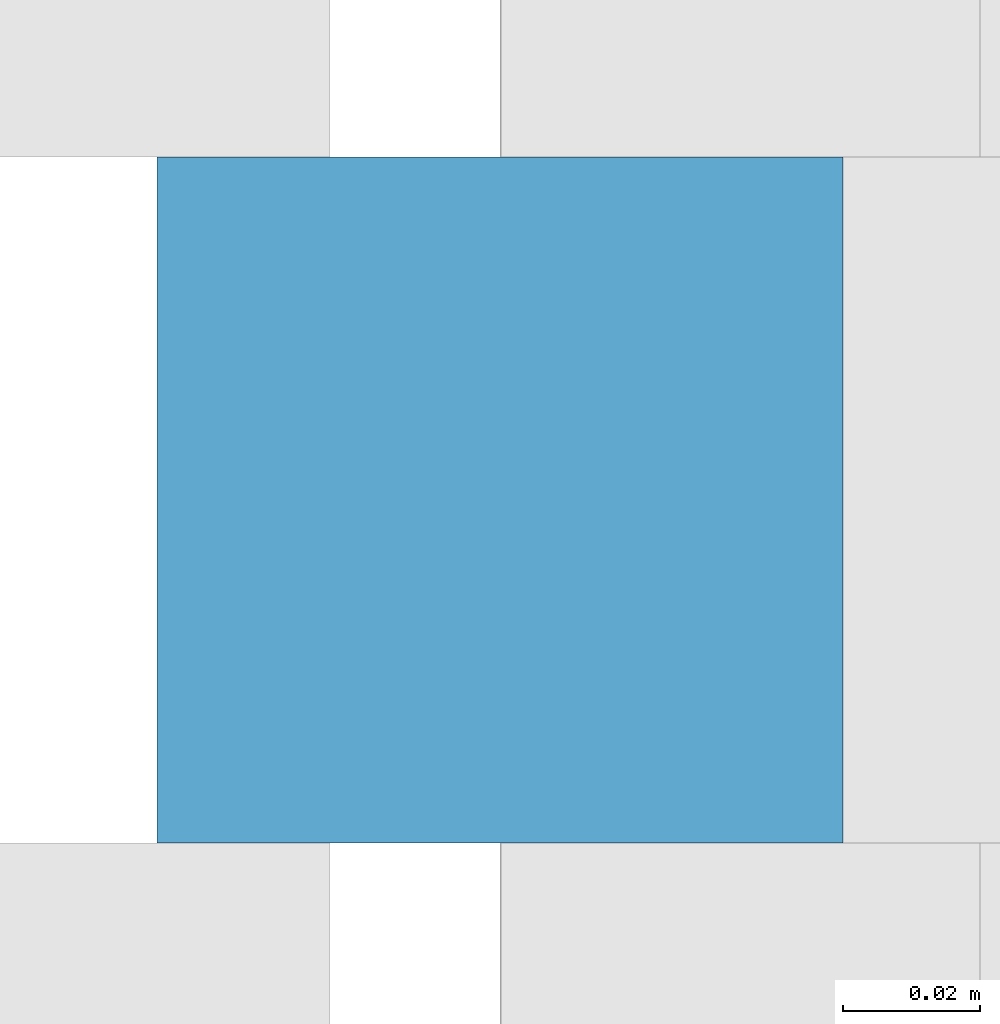
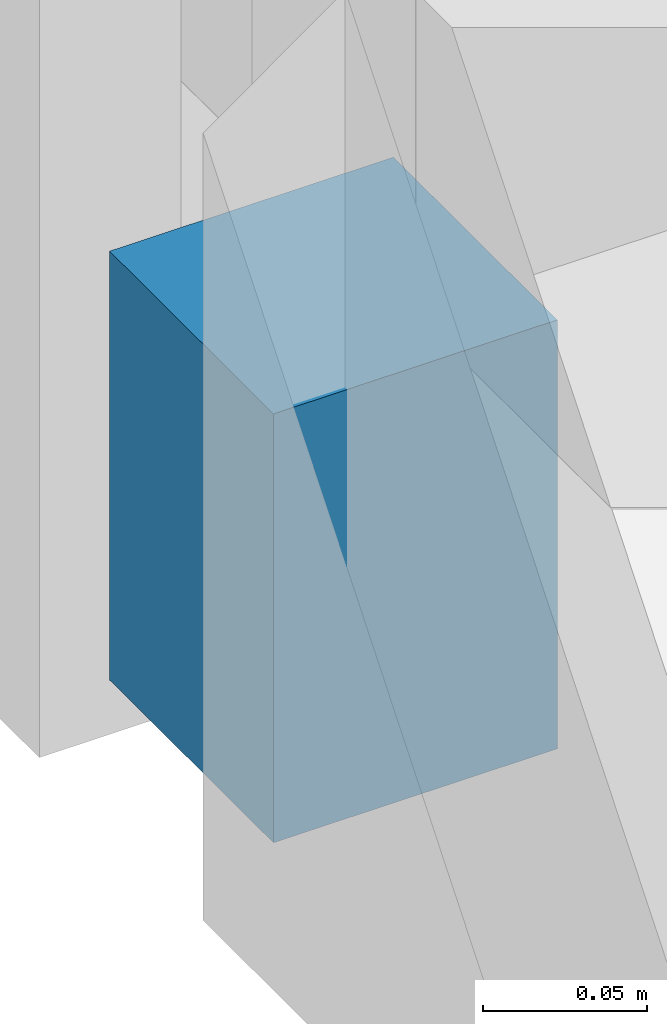
# One storey, part 21 of 33: 1 discrete accessory.
"""IFC4 building model written with IfcOpenShell, lengths in metres."""

import ifcopenshell
import ifcopenshell.guid

model = None  # the IFC model being written
_history = None  # IfcOwnerHistory: only IFC2X3 demands one
_inside = {}  # id of a spatial element -> (the spatial element, [elements in it])
_under = {}  # id of a project, library or spatial element -> (it, [spatial elements below it])
_declared = {}  # id of a project -> (the project, [libraries it declares])
_typed = {}  # id of a type object -> (the type object, [elements of that type])
_made_of = {}  # id of a material, layer set ... -> (it, [elements and type objects made of it])


def new_model(schema):
    """Start an empty IFC model of exactly this schema.

    Asked for "IFC4X3", IfcOpenShell would pick the latest addendum, in which some entities
    have other attributes; the version numbers below select the first issue.
    IFC2X3 requires an IfcOwnerHistory on every rooted entity: one is made here for all.
    """
    global model, _history
    if schema == "IFC4X3":
        model = ifcopenshell.file(schema_version=(4, 3, 0, 0))
    else:
        model = ifcopenshell.file(schema=schema)
    _inside.clear()
    _under.clear()
    _declared.clear()
    _typed.clear()
    _made_of.clear()
    _history = None
    if model.schema == "IFC2X3":
        org = make("IfcOrganization", Name="unknown")
        user = make(
            "IfcPersonAndOrganization",
            ThePerson=make("IfcPerson", FamilyName="unknown"),
            TheOrganization=org,
        )
        app = make(
            "IfcApplication",
            ApplicationDeveloper=org,
            Version="unknown",
            ApplicationFullName="unknown",
            ApplicationIdentifier="unknown",
        )
        _history = make(
            "IfcOwnerHistory",
            OwningUser=user,
            OwningApplication=app,
            ChangeAction="ADDED",
            CreationDate=0,
        )
    return model


def make(cls, **values):
    """One entity of the class cls with the attributes given. An attribute that is None is left unset."""
    return model.create_entity(
        cls, **{name: value for name, value in values.items() if value is not None}
    )


def rooted(cls, **values):
    """An entity with a GlobalId (a new one), such as an element, a storey or a relation."""
    return make(cls, GlobalId=ifcopenshell.guid.new(), OwnerHistory=_history, **values)


def si_unit(unit_type, name, prefix=None):
    """IfcSIUnit, for example si_unit("LENGTHUNIT", "METRE", prefix="MILLI")."""
    return make("IfcSIUnit", UnitType=unit_type, Prefix=prefix, Name=name)


def assignment(units):
    """IfcUnitAssignment: the units of a project."""
    return None if units is None else make("IfcUnitAssignment", Units=units)


def point(xyz):
    """IfcCartesianPoint."""
    return None if xyz is None else make("IfcCartesianPoint", Coordinates=xyz)


def direction(xyz):
    """IfcDirection."""
    return None if xyz is None else make("IfcDirection", DirectionRatios=xyz)


def frame(location, z_axis=None, x_axis=None):
    """IfcAxis2Placement3D, a coordinate frame: its origin and axes. An axis left out is left unset."""
    return make(
        "IfcAxis2Placement3D",
        Location=point(location),
        Axis=direction(z_axis),
        RefDirection=direction(x_axis),
    )


def frame_2d(location, x_axis=None):
    """IfcAxis2Placement2D, a coordinate frame in the plane: its origin and x axis."""
    return make(
        "IfcAxis2Placement2D", Location=point(location), RefDirection=direction(x_axis)
    )


def origin():
    """The frame at (0, 0, 0) with its axes left unset."""
    return frame((0.0, 0.0, 0.0))


def origin_2d():
    """The frame at (0, 0) in the plane with its x axis left unset."""
    return frame_2d((0.0, 0.0))


def place(relative_to, where):
    """IfcLocalPlacement: puts the frame where relative to a parent placement (None: the world)."""
    return make(
        "IfcLocalPlacement", PlacementRelTo=relative_to, RelativePlacement=where
    )


def context(
    kind, dimensions, precision=None, world=None, true_north=None, identifier=None
):
    """IfcGeometricRepresentationContext, for example the 3D "Model" context."""
    return make(
        "IfcGeometricRepresentationContext",
        ContextIdentifier=identifier,
        ContextType=kind,
        CoordinateSpaceDimension=dimensions,
        Precision=precision,
        WorldCoordinateSystem=world,
        TrueNorth=true_north,
    )


def subcontext(parent, identifier, kind, view, scale=None):
    """IfcGeometricRepresentationSubContext, for example "Body" below "Model"."""
    return make(
        "IfcGeometricRepresentationSubContext",
        ContextIdentifier=identifier,
        ContextType=kind,
        ParentContext=parent,
        TargetScale=scale,
        TargetView=view,
    )


def project(units=None, contexts=None):
    """IfcProject with its units and contexts."""
    return rooted(
        "IfcProject",
        Name="project",
        RepresentationContexts=contexts,
        UnitsInContext=assignment(units),
    )


def spatial(cls, under=None, at=None, **own):
    """A site, building, storey or space (cls), placed at a placement, below another one or the project."""
    s = rooted(cls, ObjectPlacement=at, **own)
    if under is not None:
        _under.setdefault(under.id(), (under, []))[1].append(s)
    return s


def profile(cls, at=None, kind="AREA", **sizes):
    """A parametric profile (cls). Its sizes go by their IFC names, for example OverallWidth=200.0."""
    return make(cls, ProfileType=kind, Position=at, **sizes)


def rectangle(**sizes):
    """IfcRectangleProfileDef."""
    return profile("IfcRectangleProfileDef", **sizes)


def extrude(swept, where, along, depth):
    """IfcExtrudedAreaSolid: the profile swept, set in the frame where, extruded along a direction by depth."""
    return make(
        "IfcExtrudedAreaSolid",
        SweptArea=swept,
        Position=where,
        ExtrudedDirection=direction(along),
        Depth=depth,
    )


def shape(context_of_items, identifier, shape_type, items):
    """IfcShapeRepresentation: the items that make up one representation, for example the "Body"."""
    return make(
        "IfcShapeRepresentation",
        ContextOfItems=context_of_items,
        RepresentationIdentifier=identifier,
        RepresentationType=shape_type,
        Items=items,
    )


def material(Name=None, Category=None):
    """IfcMaterial."""
    return make("IfcMaterial", Name=Name, Category=Category)


def made_of(thing, what):
    """Note that an element or type object is made of a material, layer set ...; save() writes the relation."""
    if what is not None:
        _made_of.setdefault(what.id(), (what, []))[1].append(thing)
    return thing


def type_object(cls, material=None, **own):
    """A type object (cls), such as IfcWallType, which elements share."""
    return made_of(rooted(cls, **own), material)


def element(
    cls,
    number,
    at=None,
    inside=None,
    cuts=None,
    type_object=None,
    material=None,
    context=None,
    identifier="Body",
    shape_type=None,
    held_by="IfcProductDefinitionShape",
    body=None,
    shapes=None,
    **own,
):
    """One element of the class cls, such as IfcWall. Its Tag is "e" and its number.

    at: its placement. inside: the storey or other place that contains it. cuts: it is an
    opening in that element (IfcRelVoidsElement). A single representation is given by context,
    identifier, shape_type and body (its items); several are given by shapes. held_by: the class
    of the entity that holds the representations. save() writes the other relations.
    """
    e = rooted(cls, Tag="e%d" % number, ObjectPlacement=at, **own)
    if body is not None:
        shapes = [shape(context, identifier, shape_type, body)]
    if shapes is not None:
        e.Representation = make(held_by, Representations=shapes)
    if inside is not None:
        _inside.setdefault(inside.id(), (inside, []))[1].append(e)
    if cuts is not None:
        rooted(
            "IfcRelVoidsElement", RelatingBuildingElement=cuts, RelatedOpeningElement=e
        )
    if type_object is not None:
        _typed.setdefault(type_object.id(), (type_object, []))[1].append(e)
    return made_of(e, material)


def aggregate(whole, parts):
    """IfcRelAggregates: a whole, such as a stair, and the parts it consists of."""
    return rooted("IfcRelAggregates", RelatingObject=whole, RelatedObjects=parts)


def save(model, path):
    """Write the relations noted so far, then the file.

    IfcRelAggregates (storeys below a building ...), IfcRelContainedInSpatialStructure (elements
    in a storey), IfcRelDefinesByType, IfcRelAssociatesMaterial and IfcRelDeclares: one each for
    every whole, place, type object, material and project.
    """
    for whole, parts in _under.values():
        aggregate(whole, parts)
    for where, things in _inside.values():
        rooted(
            "IfcRelContainedInSpatialStructure",
            RelatedElements=things,
            RelatingStructure=where,
        )
    for kind, things in _typed.values():
        rooted("IfcRelDefinesByType", RelatedObjects=things, RelatingType=kind)
    for what, things in _made_of.values():
        rooted("IfcRelAssociatesMaterial", RelatedObjects=things, RelatingMaterial=what)
    for by, libraries in _declared.values():
        rooted("IfcRelDeclares", RelatingContext=by, RelatedDefinitions=libraries)
    model.write(path)


model = new_model("IFC4")

# Units and contexts
model_context = context("Model", 3, precision=1e-05, world=origin(), true_north=direction((0.0, 1.0)))
body_context = subcontext(model_context, "Body", "Model", "MODEL_VIEW")
ifc_project = project(units=[si_unit("LENGTHUNIT", "METRE"), si_unit("AREAUNIT", "SQUARE_METRE"), si_unit("VOLUMEUNIT", "CUBIC_METRE"), si_unit("PLANEANGLEUNIT", "RADIAN"), si_unit("MASSUNIT", "GRAM", prefix="KILO")], contexts=[model_context])

# Site, building, storey
site_placement = place(None, origin())
site = spatial("IfcSite", under=ifc_project, at=site_placement, CompositionType="ELEMENT")
building_placement = place(site_placement, origin())
building = spatial("IfcBuilding", under=site, at=building_placement, Name="Siwar Civic Tower", CompositionType="ELEMENT")
storey_placement = place(building_placement, frame((0.0, 0.0, 94.199951171875)))
storey = spatial("IfcBuildingStorey", under=building, at=storey_placement, Name="L20", CompositionType="ELEMENT", Elevation=94.199951171875)

# Discrete accessory
ifc_material = material(Name="Stainless steel 316", Category="steel")
discrete_accessory_type = type_object("IfcDiscreteAccessoryType", Name="ENV-BRACKET", PredefinedType="BRACKET", material=ifc_material)
discrete_accessory_placement = place(storey_placement, frame((-32.35009765625, -4.5, -0.1796875), z_axis=(0.0, 0.0, 1.0), x_axis=(-1.0, 0.0, 0.0)))
element("IfcDiscreteAccessory", 1, at=discrete_accessory_placement, inside=storey, type_object=discrete_accessory_type, Name="Bracket outer skin joint W-03", PredefinedType="BRACKET", context=body_context, shape_type="SweptSolid", body=[
    extrude(rectangle(XDim=0.10009765625, YDim=0.10009765625, at=origin_2d()), origin(), (0.0, 0.0, 1.0), 0.159912109375),
])

save(model, "model.ifc")
